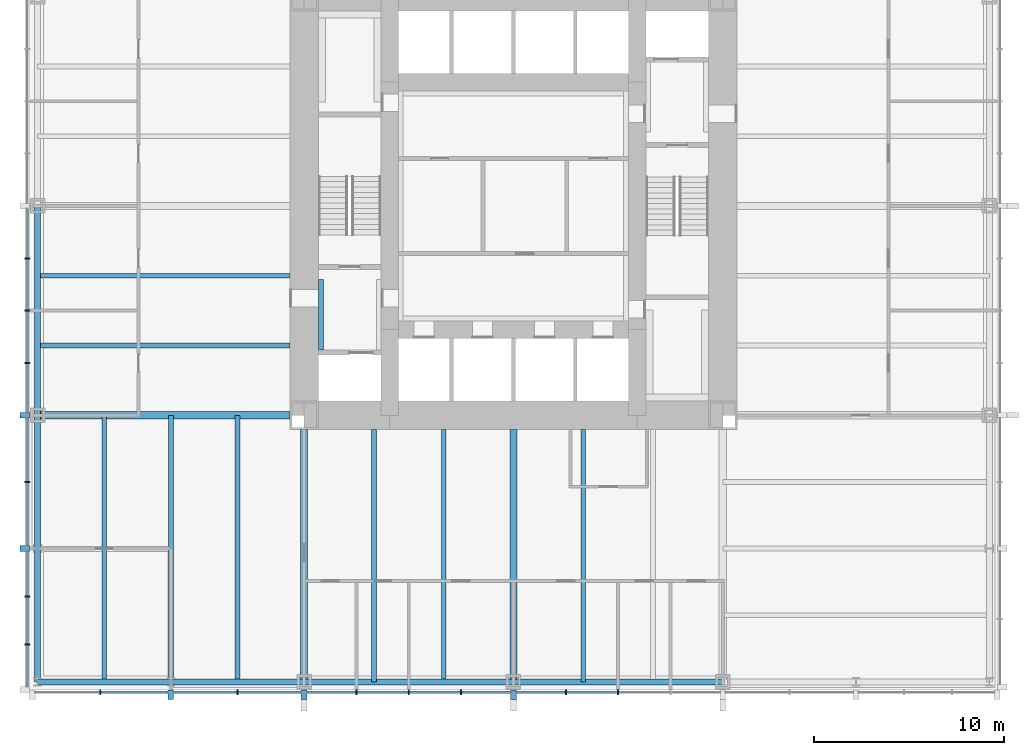
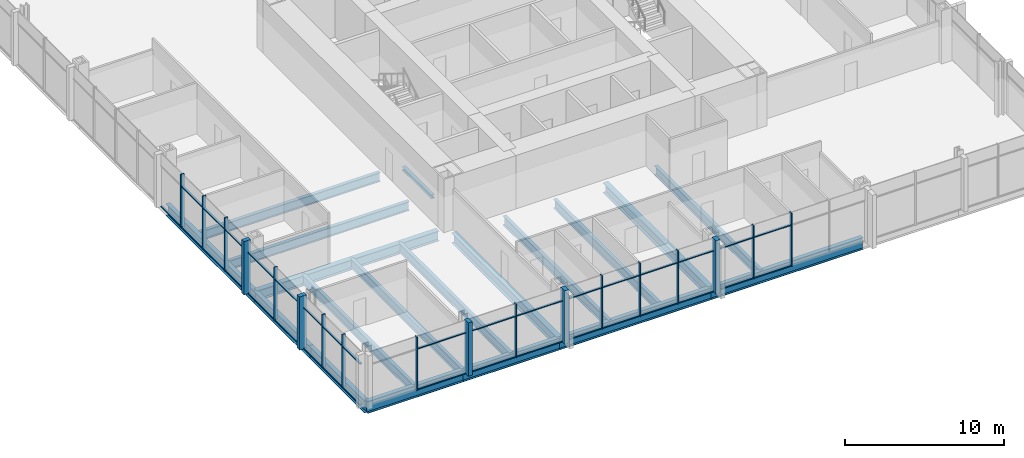
# One storey, part 2 of 12: 53 members, 19 beams, 2 elements without a shape of their own.
"""IFC4 building model written with IfcOpenShell, lengths in metres."""

from ifc_helpers import new_model, si_unit, direction, frame, origin, origin_2d, place, context, subcontext, project, spatial, rectangle, i_section, extrude, material, material_profile, profile_set, type_object, element, aggregate, save


model = new_model("IFC4")

# Units and contexts
model_context = context("Model", 3, precision=1e-05, world=origin(), true_north=direction((0.0, 1.0)))
body_context = subcontext(model_context, "Body", "Model", "MODEL_VIEW")
ifc_project = project(units=[si_unit("LENGTHUNIT", "METRE"), si_unit("AREAUNIT", "SQUARE_METRE"), si_unit("VOLUMEUNIT", "CUBIC_METRE"), si_unit("PLANEANGLEUNIT", "RADIAN"), si_unit("MASSUNIT", "GRAM", prefix="KILO")], contexts=[model_context])

# Site, building, storey
site_placement = place(None, origin())
site = spatial("IfcSite", under=ifc_project, at=site_placement, CompositionType="ELEMENT")
building_placement = place(site_placement, origin())
building = spatial("IfcBuilding", under=site, at=building_placement, Name="Trevanion Tower", CompositionType="ELEMENT")
storey_placement = place(building_placement, frame((0.0, 0.0, 77.5)))
storey = spatial("IfcBuildingStorey", under=building, at=storey_placement, Name="L18", CompositionType="ELEMENT", Elevation=77.5)

# Beams
ifc_material_1 = material(Name="Steel ASTM A992 Grade 50", Category="steel")
ifc_material_profile_1 = material_profile(ifc_material_1, i_section(OverallWidth=0.25390625, OverallDepth=0.700927734375, WebThickness=0.015380859375, FlangeThickness=0.02783203125, at=origin_2d()), Name="W27X129")
ifc_profile_set_1 = profile_set([ifc_material_profile_1], Name="Steel ASTM A992 Grade 50")
beam_type_1 = type_object("IfcBeamType", Name="B3 W27X129", PredefinedType="BEAM", material=ifc_profile_set_1)
for number, where, z_axis, x_axis, name in (
    (1, (-11.75, -3.666748046875, -0.54052734375), (-1.0, 0.0, 0.0), (0.0, -1.0, 0.0), "B3 L18"),
    (2, (-11.75, -7.333251953125, -0.54052734375), (-1.0, 0.0, 0.0), (0.0, -1.0, 0.0), "B3 L18"),
    (3, (-7.333251953125, -11.75, -0.54052734375), (0.0, -1.0, 0.0), (1.0, 0.0, 0.0), "B3 L18"),
    (4, (-3.666748046875, -11.75, -0.54052734375), (0.0, -1.0, 0.0), (1.0, 0.0, 0.0), "B3 L18"),
    (5, (3.666748046875, -11.75, -0.54052734375), (0.0, -1.0, 0.0), (1.0, 0.0, 0.0), "B3 L18"),
):
    element("IfcBeam", number, at=place(storey_placement, frame(where, z_axis=z_axis, x_axis=x_axis)), inside=storey, type_object=beam_type_1, Name=name, PredefinedType="BEAM", context=body_context, shape_type="SweptSolid", body=[
        extrude(i_section(OverallWidth=0.25390625, OverallDepth=0.700927734375, WebThickness=0.015380859375, FlangeThickness=0.02783203125, at=origin_2d()), origin(), (0.0, 0.0, 1.0), 13.25),
    ])
ifc_material_2 = material(Name="Steel ASTM A992 Grade 50", Category="steel")
ifc_material_profile_2 = material_profile(ifc_material_2, i_section(OverallWidth=0.256591796875, OverallDepth=0.693359375, WebThickness=0.014404296875, FlangeThickness=0.023681640625, at=origin_2d()), Name="W27X114")
ifc_profile_set_2 = profile_set([ifc_material_profile_2], Name="Steel ASTM A992 Grade 50")
beam_type_2 = type_object("IfcBeamType", Name="B4 W27X114", PredefinedType="BEAM", material=ifc_profile_set_2)
for number, where, z_axis, x_axis, name in (
    (6, (-14.5, -11.0, -0.53662109375), (0.0, -1.0, 0.0), (1.0, 0.0, 0.0), "B4 L18"),
    (7, (-18.0, -11.0, -0.53662109375), (0.0, -1.0, 0.0), (1.0, 0.0, 0.0), "B4 L18"),
    (8, (-21.5, -11.0, -0.53662109375), (0.0, -1.0, 0.0), (1.0, 0.0, 0.0), "B4 L18"),
):
    element("IfcBeam", number, at=place(storey_placement, frame(where, z_axis=z_axis, x_axis=x_axis)), inside=storey, type_object=beam_type_2, Name=name, PredefinedType="BEAM", context=body_context, shape_type="SweptSolid", body=[
        extrude(i_section(OverallWidth=0.256591796875, OverallDepth=0.693359375, WebThickness=0.014404296875, FlangeThickness=0.023681640625, at=origin_2d()), origin(), (0.0, 0.0, 1.0), 14.0),
    ])

# Curtain wall, members
ifc_material_3 = material(Name="Aluminium and glass", Category="aluminium")
curtain_wall_type = type_object("IfcCurtainWallType", Name="CW1 curtain wall", PredefinedType="USERDEFINED", material=ifc_material_3)
curtain_wall_1_placement = place(storey_placement, origin())
curtain_wall_1 = element("IfcCurtainWall", 9, at=curtain_wall_1_placement, inside=storey, type_object=curtain_wall_type, Name="CW1 L18 2", ObjectType="UNITISED CURTAIN WALL", PredefinedType="USERDEFINED")
ifc_material_4 = material(Name="Aluminium extrusion, anodised bronze", Category="aluminium")
ifc_material_profile_3 = material_profile(ifc_material_4, rectangle(XDim=0.074951171875, YDim=0.25, at=origin_2d()), Name="CW1 mullion")
ifc_profile_set_3 = profile_set([ifc_material_profile_3], Name="Aluminium extrusion, anodised bronze")
member_type_1 = type_object("IfcMemberType", Name="CW1 mullion", PredefinedType="MULLION", material=ifc_profile_set_3)
member_1_placement = place(storey_placement, frame((-25.550048828125, -2.75, -0.18994140625), z_axis=(0.0, 0.0, 1.0), x_axis=(0.0, -1.0, 0.0)))
member_1 = element("IfcMember", 10, at=member_1_placement, type_object=member_type_1, Name="CW1 mullion 10", PredefinedType="MULLION", context=body_context, shape_type="SweptSolid", body=[
    extrude(rectangle(XDim=0.074951171875, YDim=0.25, at=origin_2d()), origin(), (0.0, 0.0, 1.0), 4.099853515625),
])
member_2_placement = place(storey_placement, frame((-25.550048828125, -5.5, -0.18994140625), z_axis=(0.0, 0.0, 1.0), x_axis=(0.0, -1.0, 0.0)))
member_2 = element("IfcMember", 11, at=member_2_placement, type_object=member_type_1, Name="CW1 mullion 11", PredefinedType="MULLION", context=body_context, shape_type="SweptSolid", body=[
    extrude(rectangle(XDim=0.074951171875, YDim=0.25, at=origin_2d()), origin(), (0.0, 0.0, 1.0), 4.099853515625),
])
member_3_placement = place(storey_placement, frame((-25.550048828125, -8.25, -0.18994140625), z_axis=(0.0, 0.0, 1.0), x_axis=(0.0, -1.0, 0.0)))
member_3 = element("IfcMember", 12, at=member_3_placement, type_object=member_type_1, Name="CW1 mullion 12", PredefinedType="MULLION", context=body_context, shape_type="SweptSolid", body=[
    extrude(rectangle(XDim=0.074951171875, YDim=0.25, at=origin_2d()), origin(), (0.0, 0.0, 1.0), 4.099853515625),
])
member_4_placement = place(storey_placement, frame((-25.550048828125, -14.5, -0.18994140625), z_axis=(0.0, 0.0, 1.0), x_axis=(0.0, -1.0, 0.0)))
member_4 = element("IfcMember", 13, at=member_4_placement, type_object=member_type_1, Name="CW1 mullion 14", PredefinedType="MULLION", context=body_context, shape_type="SweptSolid", body=[
    extrude(rectangle(XDim=0.074951171875, YDim=0.25, at=origin_2d()), origin(), (0.0, 0.0, 1.0), 4.099853515625),
])
member_5_placement = place(storey_placement, frame((-25.550048828125, -20.5166015625, -0.18994140625), z_axis=(0.0, 0.0, 1.0), x_axis=(0.0, -1.0, 0.0)))
member_5 = element("IfcMember", 14, at=member_5_placement, type_object=member_type_1, Name="CW1 mullion 16", PredefinedType="MULLION", context=body_context, shape_type="SweptSolid", body=[
    extrude(rectangle(XDim=0.074951171875, YDim=0.25, at=origin_2d()), origin(), (0.0, 0.0, 1.0), 4.099853515625),
])
member_6_placement = place(storey_placement, frame((-25.550048828125, -23.033203125, -0.18994140625), z_axis=(0.0, 0.0, 1.0), x_axis=(0.0, -1.0, 0.0)))
member_6 = element("IfcMember", 15, at=member_6_placement, type_object=member_type_1, Name="CW1 mullion 17", PredefinedType="MULLION", context=body_context, shape_type="SweptSolid", body=[
    extrude(rectangle(XDim=0.074951171875, YDim=0.25, at=origin_2d()), origin(), (0.0, 0.0, 1.0), 4.099853515625),
])

curtain_wall_2_placement = place(storey_placement, origin())
curtain_wall_2 = element("IfcCurtainWall", 16, at=curtain_wall_2_placement, inside=storey, type_object=curtain_wall_type, Name="CW1 L18 3", ObjectType="UNITISED CURTAIN WALL", PredefinedType="USERDEFINED")
member_7_placement = place(storey_placement, frame((-21.7099609375, -25.550048828125, -0.18994140625), z_axis=(0.0, 0.0, 1.0), x_axis=(1.0, 0.0, 0.0)))
member_7 = element("IfcMember", 17, at=member_7_placement, type_object=member_type_1, Name="CW1 mullion 2", PredefinedType="MULLION", context=body_context, shape_type="SweptSolid", body=[
    extrude(rectangle(XDim=0.074951171875, YDim=0.25, at=origin_2d()), origin(), (0.0, 0.0, 1.0), 4.099853515625),
])
member_8_placement = place(storey_placement, frame((-14.5, -25.550048828125, -0.18994140625), z_axis=(0.0, 0.0, 1.0), x_axis=(1.0, 0.0, 0.0)))
member_8 = element("IfcMember", 18, at=member_8_placement, type_object=member_type_1, Name="CW1 mullion 4", PredefinedType="MULLION", context=body_context, shape_type="SweptSolid", body=[
    extrude(rectangle(XDim=0.074951171875, YDim=0.25, at=origin_2d()), origin(), (0.0, 0.0, 1.0), 4.099853515625),
])
member_9_placement = place(storey_placement, frame((-8.25, -25.550048828125, -0.18994140625), z_axis=(0.0, 0.0, 1.0), x_axis=(1.0, 0.0, 0.0)))
member_9 = element("IfcMember", 19, at=member_9_placement, type_object=member_type_1, Name="CW1 mullion 6", PredefinedType="MULLION", context=body_context, shape_type="SweptSolid", body=[
    extrude(rectangle(XDim=0.074951171875, YDim=0.25, at=origin_2d()), origin(), (0.0, 0.0, 1.0), 4.099853515625),
])
member_10_placement = place(storey_placement, frame((-5.5, -25.550048828125, -0.18994140625), z_axis=(0.0, 0.0, 1.0), x_axis=(1.0, 0.0, 0.0)))
member_10 = element("IfcMember", 20, at=member_10_placement, type_object=member_type_1, Name="CW1 mullion 7", PredefinedType="MULLION", context=body_context, shape_type="SweptSolid", body=[
    extrude(rectangle(XDim=0.074951171875, YDim=0.25, at=origin_2d()), origin(), (0.0, 0.0, 1.0), 4.099853515625),
])
member_11_placement = place(storey_placement, frame((-2.75, -25.550048828125, -0.18994140625), z_axis=(0.0, 0.0, 1.0), x_axis=(1.0, 0.0, 0.0)))
member_11 = element("IfcMember", 21, at=member_11_placement, type_object=member_type_1, Name="CW1 mullion 8", PredefinedType="MULLION", context=body_context, shape_type="SweptSolid", body=[
    extrude(rectangle(XDim=0.074951171875, YDim=0.25, at=origin_2d()), origin(), (0.0, 0.0, 1.0), 4.099853515625),
])
member_12_placement = place(storey_placement, frame((2.75, -25.550048828125, -0.18994140625), z_axis=(0.0, 0.0, 1.0), x_axis=(1.0, 0.0, 0.0)))
member_12 = element("IfcMember", 22, at=member_12_placement, type_object=member_type_1, Name="CW1 mullion 10", PredefinedType="MULLION", context=body_context, shape_type="SweptSolid", body=[
    extrude(rectangle(XDim=0.074951171875, YDim=0.25, at=origin_2d()), origin(), (0.0, 0.0, 1.0), 4.099853515625),
])
member_13_placement = place(storey_placement, frame((5.5, -25.550048828125, -0.18994140625), z_axis=(0.0, 0.0, 1.0), x_axis=(1.0, 0.0, 0.0)))
member_13 = element("IfcMember", 23, at=member_13_placement, type_object=member_type_1, Name="CW1 mullion 11", PredefinedType="MULLION", context=body_context, shape_type="SweptSolid", body=[
    extrude(rectangle(XDim=0.074951171875, YDim=0.25, at=origin_2d()), origin(), (0.0, 0.0, 1.0), 4.099853515625),
])

# Member
ifc_material_5 = material(Name="Aluminium extrusion, anodised bronze", Category="aluminium")
ifc_material_profile_4 = material_profile(ifc_material_5, rectangle(XDim=0.300048828125, YDim=0.5, at=origin_2d()), Name="CW1 pier mullion")
ifc_profile_set_4 = profile_set([ifc_material_profile_4], Name="Aluminium extrusion, anodised bronze")
member_type_2 = type_object("IfcMemberType", Name="CW1 pier mullion", PredefinedType="MULLION", material=ifc_profile_set_4)
member_14_placement = place(storey_placement, frame((-25.675048828125, -11.0, -0.18994140625), z_axis=(0.0, 0.0, 1.0), x_axis=(0.0, -1.0, 0.0)))
member_14 = element("IfcMember", 24, at=member_14_placement, type_object=member_type_2, Name="CW1 pier mullion 13", PredefinedType="MULLION", context=body_context, shape_type="SweptSolid", body=[
    extrude(rectangle(XDim=0.300048828125, YDim=0.5, at=origin_2d()), origin(), (0.0, 0.0, 1.0), 4.099853515625),
])

member_15_placement = place(storey_placement, frame((-25.675048828125, -18.0, -0.18994140625), z_axis=(0.0, 0.0, 1.0), x_axis=(0.0, -1.0, 0.0)))
member_15 = element("IfcMember", 25, at=member_15_placement, type_object=member_type_2, Name="CW1 pier mullion 15", PredefinedType="MULLION", context=body_context, shape_type="SweptSolid", body=[
    extrude(rectangle(XDim=0.300048828125, YDim=0.5, at=origin_2d()), origin(), (0.0, 0.0, 1.0), 4.099853515625),
])

member_16_placement = place(storey_placement, frame((-18.0, -25.675048828125, -0.18994140625), z_axis=(0.0, 0.0, 1.0), x_axis=(1.0, 0.0, 0.0)))
member_16 = element("IfcMember", 26, at=member_16_placement, type_object=member_type_2, Name="CW1 pier mullion 3", PredefinedType="MULLION", context=body_context, shape_type="SweptSolid", body=[
    extrude(rectangle(XDim=0.300048828125, YDim=0.5, at=origin_2d()), origin(), (0.0, 0.0, 1.0), 4.099853515625),
])

member_17_placement = place(storey_placement, frame((-11.0, -25.675048828125, -0.18994140625), z_axis=(0.0, 0.0, 1.0), x_axis=(1.0, 0.0, 0.0)))
member_17 = element("IfcMember", 27, at=member_17_placement, type_object=member_type_2, Name="CW1 pier mullion 5", PredefinedType="MULLION", context=body_context, shape_type="SweptSolid", body=[
    extrude(rectangle(XDim=0.300048828125, YDim=0.5, at=origin_2d()), origin(), (0.0, 0.0, 1.0), 4.099853515625),
])

member_18_placement = place(storey_placement, frame((0.0, -25.675048828125, -0.18994140625), z_axis=(0.0, 0.0, 1.0), x_axis=(1.0, 0.0, 0.0)))
member_18 = element("IfcMember", 28, at=member_18_placement, type_object=member_type_2, Name="CW1 pier mullion 9", PredefinedType="MULLION", context=body_context, shape_type="SweptSolid", body=[
    extrude(rectangle(XDim=0.300048828125, YDim=0.5, at=origin_2d()), origin(), (0.0, 0.0, 1.0), 4.099853515625),
])

ifc_material_6 = material(Name="Aluminium extrusion, anodised bronze", Category="aluminium")
ifc_material_profile_5 = material_profile(ifc_material_6, rectangle(XDim=0.14990234375, YDim=0.074951171875, at=origin_2d()), Name="CW1 transom")
ifc_profile_set_5 = profile_set([ifc_material_profile_5], Name="Aluminium extrusion, anodised bronze")
member_type_3 = type_object("IfcMemberType", Name="CW1 transom", PredefinedType="USERDEFINED", material=ifc_profile_set_5)
member_19_placement = place(storey_placement, frame((-25.550048828125, -0.14990234375, -0.152587890625), z_axis=(0.0, -1.0, 0.0), x_axis=(1.0, 0.0, 0.0)))
member_19 = element("IfcMember", 29, at=member_19_placement, type_object=member_type_3, Name="CW1 transom 9.1", ObjectType="TRANSOM", PredefinedType="USERDEFINED", context=body_context, shape_type="SweptSolid", body=[
    extrude(rectangle(XDim=0.14990234375, YDim=0.074951171875, at=origin_2d()), origin(), (0.0, 0.0, 1.0), 2.5625),
])

member_20_placement = place(storey_placement, frame((-25.550048828125, -2.78759765625, -0.152587890625), z_axis=(0.0, -1.0, 0.0), x_axis=(1.0, 0.0, 0.0)))
member_20 = element("IfcMember", 30, at=member_20_placement, type_object=member_type_3, Name="CW1 transom 10.1", ObjectType="TRANSOM", PredefinedType="USERDEFINED", context=body_context, shape_type="SweptSolid", body=[
    extrude(rectangle(XDim=0.14990234375, YDim=0.074951171875, at=origin_2d()), origin(), (0.0, 0.0, 1.0), 2.6748046875),
])

member_21_placement = place(storey_placement, frame((-25.550048828125, -2.78759765625, 2.9599609375), z_axis=(0.0, -1.0, 0.0), x_axis=(1.0, 0.0, 0.0)))
member_21 = element("IfcMember", 31, at=member_21_placement, type_object=member_type_3, Name="CW1 transom 10.2", ObjectType="TRANSOM", PredefinedType="USERDEFINED", context=body_context, shape_type="SweptSolid", body=[
    extrude(rectangle(XDim=0.14990234375, YDim=0.074951171875, at=origin_2d()), origin(), (0.0, 0.0, 1.0), 2.6748046875),
])

member_22_placement = place(storey_placement, frame((-25.550048828125, -5.53759765625, -0.152587890625), z_axis=(0.0, -1.0, 0.0), x_axis=(1.0, 0.0, 0.0)))
member_22 = element("IfcMember", 32, at=member_22_placement, type_object=member_type_3, Name="CW1 transom 11.1", ObjectType="TRANSOM", PredefinedType="USERDEFINED", context=body_context, shape_type="SweptSolid", body=[
    extrude(rectangle(XDim=0.14990234375, YDim=0.074951171875, at=origin_2d()), origin(), (0.0, 0.0, 1.0), 2.6748046875),
])

member_23_placement = place(storey_placement, frame((-25.550048828125, -5.53759765625, 2.9599609375), z_axis=(0.0, -1.0, 0.0), x_axis=(1.0, 0.0, 0.0)))
member_23 = element("IfcMember", 33, at=member_23_placement, type_object=member_type_3, Name="CW1 transom 11.2", ObjectType="TRANSOM", PredefinedType="USERDEFINED", context=body_context, shape_type="SweptSolid", body=[
    extrude(rectangle(XDim=0.14990234375, YDim=0.074951171875, at=origin_2d()), origin(), (0.0, 0.0, 1.0), 2.6748046875),
])

member_24_placement = place(storey_placement, frame((-25.550048828125, -8.28759765625, -0.152587890625), z_axis=(0.0, -1.0, 0.0), x_axis=(1.0, 0.0, 0.0)))
member_24 = element("IfcMember", 34, at=member_24_placement, type_object=member_type_3, Name="CW1 transom 12.1", ObjectType="TRANSOM", PredefinedType="USERDEFINED", context=body_context, shape_type="SweptSolid", body=[
    extrude(rectangle(XDim=0.14990234375, YDim=0.074951171875, at=origin_2d()), origin(), (0.0, 0.0, 1.0), 2.5625),
])

member_25_placement = place(storey_placement, frame((-25.550048828125, -8.28759765625, 2.9599609375), z_axis=(0.0, -1.0, 0.0), x_axis=(1.0, 0.0, 0.0)))
member_25 = element("IfcMember", 35, at=member_25_placement, type_object=member_type_3, Name="CW1 transom 12.2", ObjectType="TRANSOM", PredefinedType="USERDEFINED", context=body_context, shape_type="SweptSolid", body=[
    extrude(rectangle(XDim=0.14990234375, YDim=0.074951171875, at=origin_2d()), origin(), (0.0, 0.0, 1.0), 2.5625),
])

member_26_placement = place(storey_placement, frame((-25.550048828125, -11.14990234375, -0.152587890625), z_axis=(0.0, -1.0, 0.0), x_axis=(1.0, 0.0, 0.0)))
member_26 = element("IfcMember", 36, at=member_26_placement, type_object=member_type_3, Name="CW1 transom 13.1", ObjectType="TRANSOM", PredefinedType="USERDEFINED", context=body_context, shape_type="SweptSolid", body=[
    extrude(rectangle(XDim=0.14990234375, YDim=0.074951171875, at=origin_2d()), origin(), (0.0, 0.0, 1.0), 3.3125),
])

member_27_placement = place(storey_placement, frame((-25.550048828125, -11.14990234375, 2.9599609375), z_axis=(0.0, -1.0, 0.0), x_axis=(1.0, 0.0, 0.0)))
member_27 = element("IfcMember", 37, at=member_27_placement, type_object=member_type_3, Name="CW1 transom 13.2", ObjectType="TRANSOM", PredefinedType="USERDEFINED", context=body_context, shape_type="SweptSolid", body=[
    extrude(rectangle(XDim=0.14990234375, YDim=0.074951171875, at=origin_2d()), origin(), (0.0, 0.0, 1.0), 3.3125),
])

member_28_placement = place(storey_placement, frame((-25.550048828125, -14.53759765625, -0.152587890625), z_axis=(0.0, -1.0, 0.0), x_axis=(1.0, 0.0, 0.0)))
member_28 = element("IfcMember", 38, at=member_28_placement, type_object=member_type_3, Name="CW1 transom 14.1", ObjectType="TRANSOM", PredefinedType="USERDEFINED", context=body_context, shape_type="SweptSolid", body=[
    extrude(rectangle(XDim=0.14990234375, YDim=0.074951171875, at=origin_2d()), origin(), (0.0, 0.0, 1.0), 3.3125),
])

member_29_placement = place(storey_placement, frame((-25.550048828125, -14.53759765625, 2.9599609375), z_axis=(0.0, -1.0, 0.0), x_axis=(1.0, 0.0, 0.0)))
member_29 = element("IfcMember", 39, at=member_29_placement, type_object=member_type_3, Name="CW1 transom 14.2", ObjectType="TRANSOM", PredefinedType="USERDEFINED", context=body_context, shape_type="SweptSolid", body=[
    extrude(rectangle(XDim=0.14990234375, YDim=0.074951171875, at=origin_2d()), origin(), (0.0, 0.0, 1.0), 3.3125),
])

member_30_placement = place(storey_placement, frame((-25.550048828125, -18.14990234375, -0.152587890625), z_axis=(0.0, -1.0, 0.0), x_axis=(1.0, 0.0, 0.0)))
member_30 = element("IfcMember", 40, at=member_30_placement, type_object=member_type_3, Name="CW1 transom 15.1", ObjectType="TRANSOM", PredefinedType="USERDEFINED", context=body_context, shape_type="SweptSolid", body=[
    extrude(rectangle(XDim=0.14990234375, YDim=0.074951171875, at=origin_2d()), origin(), (0.0, 0.0, 1.0), 2.329345703125),
])

member_31_placement = place(storey_placement, frame((-25.550048828125, -18.14990234375, 2.9599609375), z_axis=(0.0, -1.0, 0.0), x_axis=(1.0, 0.0, 0.0)))
member_31 = element("IfcMember", 41, at=member_31_placement, type_object=member_type_3, Name="CW1 transom 15.2", ObjectType="TRANSOM", PredefinedType="USERDEFINED", context=body_context, shape_type="SweptSolid", body=[
    extrude(rectangle(XDim=0.14990234375, YDim=0.074951171875, at=origin_2d()), origin(), (0.0, 0.0, 1.0), 2.329345703125),
])

member_32_placement = place(storey_placement, frame((-25.550048828125, -20.55419921875, -0.152587890625), z_axis=(0.0, -1.0, 0.0), x_axis=(1.0, 0.0, 0.0)))
member_32 = element("IfcMember", 42, at=member_32_placement, type_object=member_type_3, Name="CW1 transom 16.1", ObjectType="TRANSOM", PredefinedType="USERDEFINED", context=body_context, shape_type="SweptSolid", body=[
    extrude(rectangle(XDim=0.14990234375, YDim=0.074951171875, at=origin_2d()), origin(), (0.0, 0.0, 1.0), 2.441650390625),
])

member_33_placement = place(storey_placement, frame((-25.550048828125, -20.55419921875, 2.9599609375), z_axis=(0.0, -1.0, 0.0), x_axis=(1.0, 0.0, 0.0)))
member_33 = element("IfcMember", 43, at=member_33_placement, type_object=member_type_3, Name="CW1 transom 16.2", ObjectType="TRANSOM", PredefinedType="USERDEFINED", context=body_context, shape_type="SweptSolid", body=[
    extrude(rectangle(XDim=0.14990234375, YDim=0.074951171875, at=origin_2d()), origin(), (0.0, 0.0, 1.0), 2.441650390625),
])

member_34_placement = place(storey_placement, frame((-25.550048828125, -23.07080078125, -0.152587890625), z_axis=(0.0, -1.0, 0.0), x_axis=(1.0, 0.0, 0.0)))
member_34 = element("IfcMember", 44, at=member_34_placement, type_object=member_type_3, Name="CW1 transom 17.1", ObjectType="TRANSOM", PredefinedType="USERDEFINED", context=body_context, shape_type="SweptSolid", body=[
    extrude(rectangle(XDim=0.14990234375, YDim=0.074951171875, at=origin_2d()), origin(), (0.0, 0.0, 1.0), 2.17919921875),
])

member_35_placement = place(storey_placement, frame((-25.550048828125, -23.07080078125, 2.9599609375), z_axis=(0.0, -1.0, 0.0), x_axis=(1.0, 0.0, 0.0)))
member_35 = element("IfcMember", 45, at=member_35_placement, type_object=member_type_3, Name="CW1 transom 17.2", ObjectType="TRANSOM", PredefinedType="USERDEFINED", context=body_context, shape_type="SweptSolid", body=[
    extrude(rectangle(XDim=0.14990234375, YDim=0.074951171875, at=origin_2d()), origin(), (0.0, 0.0, 1.0), 2.17919921875),
])

aggregate(curtain_wall_1, [member_1, member_2, member_3, member_14, member_4, member_15, member_5, member_6, member_19, member_20, member_21, member_22, member_23, member_24, member_25, member_26, member_27, member_28, member_29, member_30, member_31, member_32, member_33, member_34, member_35])

member_36_placement = place(storey_placement, frame((-21.672607421875, -25.550048828125, -0.152587890625), z_axis=(1.0, 0.0, 0.0), x_axis=(0.0, 1.0, 0.0)))
member_36 = element("IfcMember", 46, at=member_36_placement, type_object=member_type_3, Name="CW1 transom 2.1", ObjectType="TRANSOM", PredefinedType="USERDEFINED", context=body_context, shape_type="SweptSolid", body=[
    extrude(rectangle(XDim=0.14990234375, YDim=0.074951171875, at=origin_2d()), origin(), (0.0, 0.0, 1.0), 3.522705078125),
])

member_37_placement = place(storey_placement, frame((-21.672607421875, -25.550048828125, 2.9599609375), z_axis=(1.0, 0.0, 0.0), x_axis=(0.0, 1.0, 0.0)))
member_37 = element("IfcMember", 47, at=member_37_placement, type_object=member_type_3, Name="CW1 transom 2.2", ObjectType="TRANSOM", PredefinedType="USERDEFINED", context=body_context, shape_type="SweptSolid", body=[
    extrude(rectangle(XDim=0.14990234375, YDim=0.074951171875, at=origin_2d()), origin(), (0.0, 0.0, 1.0), 3.522705078125),
])

member_38_placement = place(storey_placement, frame((-17.85009765625, -25.550048828125, -0.152587890625), z_axis=(1.0, 0.0, 0.0), x_axis=(0.0, 1.0, 0.0)))
member_38 = element("IfcMember", 48, at=member_38_placement, type_object=member_type_3, Name="CW1 transom 3.1", ObjectType="TRANSOM", PredefinedType="USERDEFINED", context=body_context, shape_type="SweptSolid", body=[
    extrude(rectangle(XDim=0.14990234375, YDim=0.074951171875, at=origin_2d()), origin(), (0.0, 0.0, 1.0), 3.3125),
])

member_39_placement = place(storey_placement, frame((-17.85009765625, -25.550048828125, 2.9599609375), z_axis=(1.0, 0.0, 0.0), x_axis=(0.0, 1.0, 0.0)))
member_39 = element("IfcMember", 49, at=member_39_placement, type_object=member_type_3, Name="CW1 transom 3.2", ObjectType="TRANSOM", PredefinedType="USERDEFINED", context=body_context, shape_type="SweptSolid", body=[
    extrude(rectangle(XDim=0.14990234375, YDim=0.074951171875, at=origin_2d()), origin(), (0.0, 0.0, 1.0), 3.3125),
])

member_40_placement = place(storey_placement, frame((-14.46240234375, -25.550048828125, -0.152587890625), z_axis=(1.0, 0.0, 0.0), x_axis=(0.0, 1.0, 0.0)))
member_40 = element("IfcMember", 50, at=member_40_placement, type_object=member_type_3, Name="CW1 transom 4.1", ObjectType="TRANSOM", PredefinedType="USERDEFINED", context=body_context, shape_type="SweptSolid", body=[
    extrude(rectangle(XDim=0.14990234375, YDim=0.074951171875, at=origin_2d()), origin(), (0.0, 0.0, 1.0), 3.3125),
])

member_41_placement = place(storey_placement, frame((-14.46240234375, -25.550048828125, 2.9599609375), z_axis=(1.0, 0.0, 0.0), x_axis=(0.0, 1.0, 0.0)))
member_41 = element("IfcMember", 51, at=member_41_placement, type_object=member_type_3, Name="CW1 transom 4.2", ObjectType="TRANSOM", PredefinedType="USERDEFINED", context=body_context, shape_type="SweptSolid", body=[
    extrude(rectangle(XDim=0.14990234375, YDim=0.074951171875, at=origin_2d()), origin(), (0.0, 0.0, 1.0), 3.3125),
])

member_42_placement = place(storey_placement, frame((-10.85009765625, -25.550048828125, -0.152587890625), z_axis=(1.0, 0.0, 0.0), x_axis=(0.0, 1.0, 0.0)))
member_42 = element("IfcMember", 52, at=member_42_placement, type_object=member_type_3, Name="CW1 transom 5.1", ObjectType="TRANSOM", PredefinedType="USERDEFINED", context=body_context, shape_type="SweptSolid", body=[
    extrude(rectangle(XDim=0.14990234375, YDim=0.074951171875, at=origin_2d()), origin(), (0.0, 0.0, 1.0), 2.5625),
])

member_43_placement = place(storey_placement, frame((-10.85009765625, -25.550048828125, 2.9599609375), z_axis=(1.0, 0.0, 0.0), x_axis=(0.0, 1.0, 0.0)))
member_43 = element("IfcMember", 53, at=member_43_placement, type_object=member_type_3, Name="CW1 transom 5.2", ObjectType="TRANSOM", PredefinedType="USERDEFINED", context=body_context, shape_type="SweptSolid", body=[
    extrude(rectangle(XDim=0.14990234375, YDim=0.074951171875, at=origin_2d()), origin(), (0.0, 0.0, 1.0), 2.5625),
])

member_44_placement = place(storey_placement, frame((-8.21240234375, -25.550048828125, -0.152587890625), z_axis=(1.0, 0.0, 0.0), x_axis=(0.0, 1.0, 0.0)))
member_44 = element("IfcMember", 54, at=member_44_placement, type_object=member_type_3, Name="CW1 transom 6.1", ObjectType="TRANSOM", PredefinedType="USERDEFINED", context=body_context, shape_type="SweptSolid", body=[
    extrude(rectangle(XDim=0.14990234375, YDim=0.074951171875, at=origin_2d()), origin(), (0.0, 0.0, 1.0), 2.6748046875),
])

member_45_placement = place(storey_placement, frame((-8.21240234375, -25.550048828125, 2.9599609375), z_axis=(1.0, 0.0, 0.0), x_axis=(0.0, 1.0, 0.0)))
member_45 = element("IfcMember", 55, at=member_45_placement, type_object=member_type_3, Name="CW1 transom 6.2", ObjectType="TRANSOM", PredefinedType="USERDEFINED", context=body_context, shape_type="SweptSolid", body=[
    extrude(rectangle(XDim=0.14990234375, YDim=0.074951171875, at=origin_2d()), origin(), (0.0, 0.0, 1.0), 2.6748046875),
])

member_46_placement = place(storey_placement, frame((-5.46240234375, -25.550048828125, -0.152587890625), z_axis=(1.0, 0.0, 0.0), x_axis=(0.0, 1.0, 0.0)))
member_46 = element("IfcMember", 56, at=member_46_placement, type_object=member_type_3, Name="CW1 transom 7.1", ObjectType="TRANSOM", PredefinedType="USERDEFINED", context=body_context, shape_type="SweptSolid", body=[
    extrude(rectangle(XDim=0.14990234375, YDim=0.074951171875, at=origin_2d()), origin(), (0.0, 0.0, 1.0), 2.6748046875),
])

member_47_placement = place(storey_placement, frame((-5.46240234375, -25.550048828125, 2.9599609375), z_axis=(1.0, 0.0, 0.0), x_axis=(0.0, 1.0, 0.0)))
member_47 = element("IfcMember", 57, at=member_47_placement, type_object=member_type_3, Name="CW1 transom 7.2", ObjectType="TRANSOM", PredefinedType="USERDEFINED", context=body_context, shape_type="SweptSolid", body=[
    extrude(rectangle(XDim=0.14990234375, YDim=0.074951171875, at=origin_2d()), origin(), (0.0, 0.0, 1.0), 2.6748046875),
])

member_48_placement = place(storey_placement, frame((-2.71240234375, -25.550048828125, -0.152587890625), z_axis=(1.0, 0.0, 0.0), x_axis=(0.0, 1.0, 0.0)))
member_48 = element("IfcMember", 58, at=member_48_placement, type_object=member_type_3, Name="CW1 transom 8.1", ObjectType="TRANSOM", PredefinedType="USERDEFINED", context=body_context, shape_type="SweptSolid", body=[
    extrude(rectangle(XDim=0.14990234375, YDim=0.074951171875, at=origin_2d()), origin(), (0.0, 0.0, 1.0), 2.5625),
])

member_49_placement = place(storey_placement, frame((-2.71240234375, -25.550048828125, 2.9599609375), z_axis=(1.0, 0.0, 0.0), x_axis=(0.0, 1.0, 0.0)))
member_49 = element("IfcMember", 59, at=member_49_placement, type_object=member_type_3, Name="CW1 transom 8.2", ObjectType="TRANSOM", PredefinedType="USERDEFINED", context=body_context, shape_type="SweptSolid", body=[
    extrude(rectangle(XDim=0.14990234375, YDim=0.074951171875, at=origin_2d()), origin(), (0.0, 0.0, 1.0), 2.5625),
])

member_50_placement = place(storey_placement, frame((0.14990234375, -25.550048828125, -0.152587890625), z_axis=(1.0, 0.0, 0.0), x_axis=(0.0, 1.0, 0.0)))
member_50 = element("IfcMember", 60, at=member_50_placement, type_object=member_type_3, Name="CW1 transom 9.1", ObjectType="TRANSOM", PredefinedType="USERDEFINED", context=body_context, shape_type="SweptSolid", body=[
    extrude(rectangle(XDim=0.14990234375, YDim=0.074951171875, at=origin_2d()), origin(), (0.0, 0.0, 1.0), 2.5625),
])

member_51_placement = place(storey_placement, frame((0.14990234375, -25.550048828125, 2.9599609375), z_axis=(1.0, 0.0, 0.0), x_axis=(0.0, 1.0, 0.0)))
member_51 = element("IfcMember", 61, at=member_51_placement, type_object=member_type_3, Name="CW1 transom 9.2", ObjectType="TRANSOM", PredefinedType="USERDEFINED", context=body_context, shape_type="SweptSolid", body=[
    extrude(rectangle(XDim=0.14990234375, YDim=0.074951171875, at=origin_2d()), origin(), (0.0, 0.0, 1.0), 2.5625),
])

member_52_placement = place(storey_placement, frame((2.78759765625, -25.550048828125, -0.152587890625), z_axis=(1.0, 0.0, 0.0), x_axis=(0.0, 1.0, 0.0)))
member_52 = element("IfcMember", 62, at=member_52_placement, type_object=member_type_3, Name="CW1 transom 10.1", ObjectType="TRANSOM", PredefinedType="USERDEFINED", context=body_context, shape_type="SweptSolid", body=[
    extrude(rectangle(XDim=0.14990234375, YDim=0.074951171875, at=origin_2d()), origin(), (0.0, 0.0, 1.0), 2.6748046875),
])

member_53_placement = place(storey_placement, frame((2.78759765625, -25.550048828125, 2.9599609375), z_axis=(1.0, 0.0, 0.0), x_axis=(0.0, 1.0, 0.0)))
member_53 = element("IfcMember", 63, at=member_53_placement, type_object=member_type_3, Name="CW1 transom 10.2", ObjectType="TRANSOM", PredefinedType="USERDEFINED", context=body_context, shape_type="SweptSolid", body=[
    extrude(rectangle(XDim=0.14990234375, YDim=0.074951171875, at=origin_2d()), origin(), (0.0, 0.0, 1.0), 2.6748046875),
])

aggregate(curtain_wall_2, [member_7, member_16, member_8, member_17, member_9, member_10, member_11, member_18, member_12, member_13, member_36, member_37, member_38, member_39, member_40, member_41, member_42, member_43, member_44, member_45, member_46, member_47, member_48, member_49, member_50, member_51, member_52, member_53])

# Beams
ifc_material_7 = material(Name="Steel ASTM A992 Grade 50", Category="steel")
ifc_material_profile_6 = material_profile(ifc_material_7, i_section(OverallWidth=0.381103515625, OverallDepth=0.77978515625, WebThickness=0.01806640625, FlangeThickness=0.0302734375, at=origin_2d()), Name="W30X191")
ifc_profile_set_6 = profile_set([ifc_material_profile_6], Name="Steel ASTM A992 Grade 50")
beam_type_3 = type_object("IfcBeamType", Name="G2 W30X191", PredefinedType="BEAM", material=ifc_profile_set_6)
for number, where, z_axis, x_axis, name in (
    (64, (-11.75, -11.0, -0.579833984375), (-1.0, 0.0, 0.0), (0.0, -1.0, 0.0), "G2 L18"),
    (65, (-11.0, -11.75, -0.579833984375), (0.0, -1.0, 0.0), (1.0, 0.0, 0.0), "G2 L18"),
    (66, (0.0, -11.75, -0.579833984375), (0.0, -1.0, 0.0), (1.0, 0.0, 0.0), "G2 L18"),
):
    element("IfcBeam", number, at=place(storey_placement, frame(where, z_axis=z_axis, x_axis=x_axis)), inside=storey, type_object=beam_type_3, Name=name, PredefinedType="BEAM", context=body_context, shape_type="SweptSolid", body=[
        extrude(i_section(OverallWidth=0.381103515625, OverallDepth=0.77978515625, WebThickness=0.01806640625, FlangeThickness=0.0302734375, at=origin_2d()), origin(), (0.0, 0.0, 1.0), 13.25),
    ])
ifc_material_8 = material(Name="Steel ASTM A992 Grade 50", Category="steel")
ifc_material_profile_7 = material_profile(ifc_material_8, i_section(OverallWidth=0.256591796875, OverallDepth=0.26416015625, WebThickness=0.011962890625, FlangeThickness=0.01953125, at=origin_2d()), Name="W10X68")
ifc_profile_set_7 = profile_set([ifc_material_profile_7], Name="Steel ASTM A992 Grade 50")
beam_type_4 = type_object("IfcBeamType", Name="LB1 W10X68", PredefinedType="BEAM", material=ifc_profile_set_7)
beam_1_placement = place(storey_placement, frame((-10.12158203125, -7.574951171875, -0.33203125), z_axis=(0.0, 1.0, 0.0), x_axis=(-1.0, 0.0, 0.0)))
element("IfcBeam", 67, at=beam_1_placement, inside=storey, type_object=beam_type_4, Name="LB1 L18", PredefinedType="BEAM", context=body_context, shape_type="SweptSolid", body=[
    extrude(i_section(OverallWidth=0.256591796875, OverallDepth=0.26416015625, WebThickness=0.011962890625, FlangeThickness=0.01953125, at=origin_2d()), origin(), (0.0, 0.0, 1.0), 3.699951171875),
])
ifc_material_9 = material(Name="Steel ASTM A992 Grade 50", Category="steel")
ifc_material_profile_8 = material_profile(ifc_material_9, i_section(OverallWidth=0.307373046875, OverallDepth=0.927001953125, WebThickness=0.01953125, FlangeThickness=0.031982421875, at=origin_2d()), Name="W36X194")
ifc_profile_set_8 = profile_set([ifc_material_profile_8], Name="Steel ASTM A992 Grade 50")
beam_type_5 = type_object("IfcBeamType", Name="SB2 W36X194", PredefinedType="SPANDREL", material=ifc_profile_set_8)
beam_2_placement = place(storey_placement, frame((-25.0, 0.0, -0.653564453125), z_axis=(0.0, -1.0, 0.0), x_axis=(1.0, 0.0, 0.0)))
element("IfcBeam", 68, at=beam_2_placement, inside=storey, type_object=beam_type_5, Name="SB2 L18", PredefinedType="SPANDREL", context=body_context, shape_type="SweptSolid", body=[
    extrude(i_section(OverallWidth=0.307373046875, OverallDepth=0.927001953125, WebThickness=0.01953125, FlangeThickness=0.031982421875, at=origin_2d()), origin(), (0.0, 0.0, 1.0), 11.0),
])
for number, where, z_axis, x_axis, name in (
    (69, (-25.0, -11.0, -0.653564453125), (0.0, -1.0, 0.0), (1.0, 0.0, 0.0), "SB2 L18"),
    (70, (-25.0, -18.0, -0.653564453125), (0.0, -1.0, 0.0), (1.0, 0.0, 0.0), "SB2 L18"),
    (71, (-25.0, -25.0, -0.653564453125), (1.0, 0.0, 0.0), (0.0, 1.0, 0.0), "SB2 L18"),
    (72, (-18.0, -25.0, -0.653564453125), (1.0, 0.0, 0.0), (0.0, 1.0, 0.0), "SB2 L18"),
):
    element("IfcBeam", number, at=place(storey_placement, frame(where, z_axis=z_axis, x_axis=x_axis)), inside=storey, type_object=beam_type_5, Name=name, PredefinedType="SPANDREL", context=body_context, shape_type="SweptSolid", body=[
        extrude(i_section(OverallWidth=0.307373046875, OverallDepth=0.927001953125, WebThickness=0.01953125, FlangeThickness=0.031982421875, at=origin_2d()), origin(), (0.0, 0.0, 1.0), 7.0),
    ])
for number, where, z_axis, x_axis, name in (
    (73, (-11.0, -25.0, -0.653564453125), (1.0, 0.0, 0.0), (0.0, 1.0, 0.0), "SB2 L18"),
    (74, (0.0, -25.0, -0.653564453125), (1.0, 0.0, 0.0), (0.0, 1.0, 0.0), "SB2 L18"),
):
    element("IfcBeam", number, at=place(storey_placement, frame(where, z_axis=z_axis, x_axis=x_axis)), inside=storey, type_object=beam_type_5, Name=name, PredefinedType="SPANDREL", context=body_context, shape_type="SweptSolid", body=[
        extrude(i_section(OverallWidth=0.307373046875, OverallDepth=0.927001953125, WebThickness=0.01953125, FlangeThickness=0.031982421875, at=origin_2d()), origin(), (0.0, 0.0, 1.0), 11.0),
    ])

save(model, "model.ifc")
